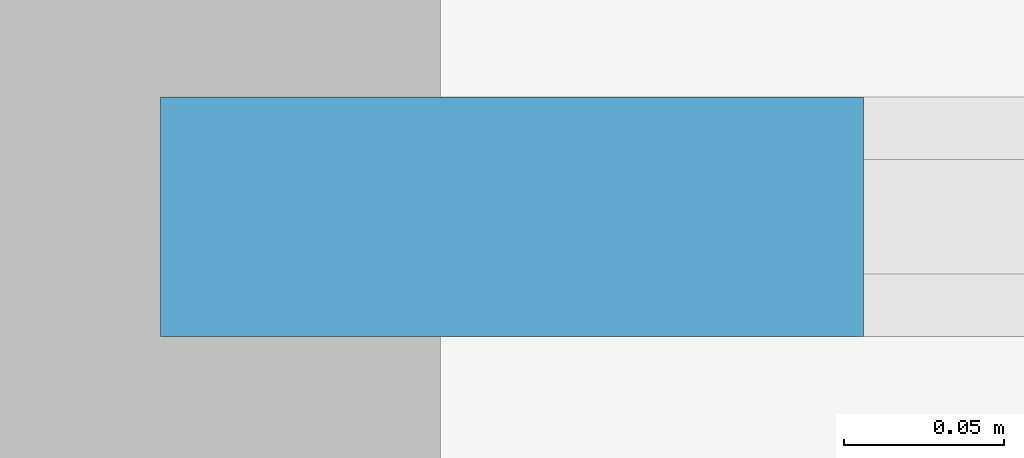
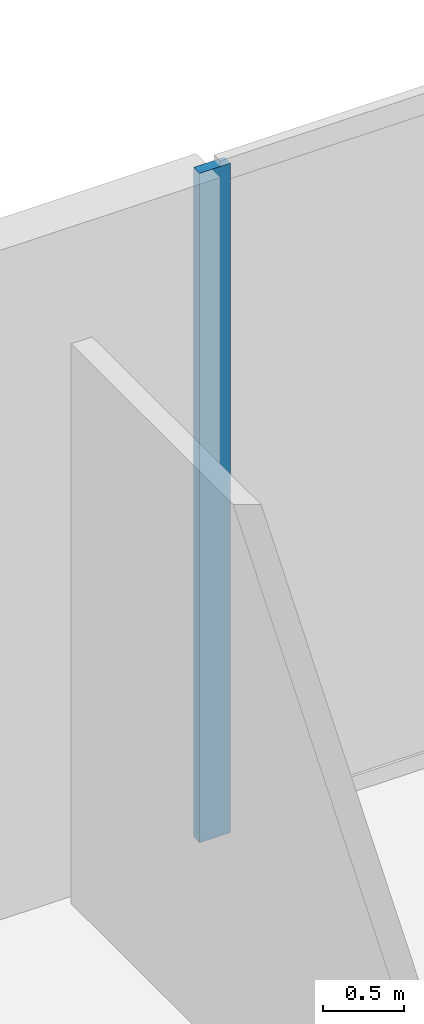
# One storey, part 7 of 24: 1 member, 1 element without a shape of its own.
"""IFC4 building model written with IfcOpenShell, lengths in metres."""

from ifc_helpers import new_model, si_unit, derived_unit, direction, frame, origin, origin_2d, place, context, subcontext, project, spatial, rectangle, extrude, material, layer, layer_set, material_profile, profile_set, type_object, element, aggregate, save


model = new_model("IFC4")

# Units and contexts
model_context = context("Model", 3, precision=1e-05, world=origin(), true_north=direction((0.0, 1.0)))
body_context = subcontext(model_context, "Body", "Model", "MODEL_VIEW")
ifc_project = project(units=[si_unit("LENGTHUNIT", "METRE"), si_unit("AREAUNIT", "SQUARE_METRE"), si_unit("VOLUMEUNIT", "CUBIC_METRE"), si_unit("PLANEANGLEUNIT", "RADIAN"), si_unit("MASSUNIT", "GRAM", prefix="KILO"), derived_unit("THERMALTRANSMITTANCEUNIT", [(si_unit("POWERUNIT", "WATT"), 1), (si_unit("LENGTHUNIT", "METRE"), -2), (si_unit("THERMODYNAMICTEMPERATUREUNIT", "KELVIN"), -1)])], contexts=[model_context])

# Site, building, storey
site_placement = place(None, origin())
site = spatial("IfcSite", under=ifc_project, at=site_placement, CompositionType="ELEMENT")
building_placement = place(site_placement, origin())
building = spatial("IfcBuilding", under=site, at=building_placement, Name="Kivonza Crest Hotel", CompositionType="ELEMENT")
storey_placement = place(building_placement, origin())
storey = spatial("IfcBuildingStorey", under=building, at=storey_placement, Name="L00", CompositionType="ELEMENT", Elevation=0.0)

# Curtain wall, member
ifc_material_1 = material(Name="Anodised bronze aluminium and low-E double glazing", Category="aluminium")
ifc_layer = layer(ifc_material_1, 0.219970703125)
ifc_layer_set = layer_set([ifc_layer], Name="Anodised bronze aluminium and low-E double glazing")
curtain_wall_type = type_object("IfcCurtainWallType", Name="CW-SYS-1", PredefinedType="NOTDEFINED", material=ifc_layer_set)
curtain_wall_placement = place(storey_placement, origin())
curtain_wall = element("IfcCurtainWall", 1, at=curtain_wall_placement, inside=storey, type_object=curtain_wall_type, Name="L00 unitised curtain wall CW-POD-L00-23", PredefinedType="NOTDEFINED")
ifc_material_2 = material(Name="Anodised bronze aluminium", Category="aluminium")
ifc_material_profile = material_profile(ifc_material_2, rectangle(XDim=0.074951171875, YDim=0.219970703125, at=origin_2d()), Name="CW-M 75x220")
ifc_profile_set = profile_set([ifc_material_profile], Name="Anodised bronze aluminium")
member_type = type_object("IfcMemberType", Name="CW-MUL-75x220", PredefinedType="MULLION", material=ifc_profile_set)
member_placement = place(storey_placement, frame((64.050537109375, 49.760009765625, 0.0), z_axis=(0.0, 0.0, 1.0), x_axis=(0.0, -1.0, 0.0)))
member = element("IfcMember", 2, at=member_placement, type_object=member_type, Name="CW-1 mullion 3", PredefinedType="MULLION", context=body_context, shape_type="SweptSolid", body=[
    extrude(rectangle(XDim=0.074951171875, YDim=0.219970703125, at=origin_2d()), origin(), (0.0, 0.0, 1.0), 5.050048828125),
])
aggregate(curtain_wall, [member])

save(model, "model.ifc")
